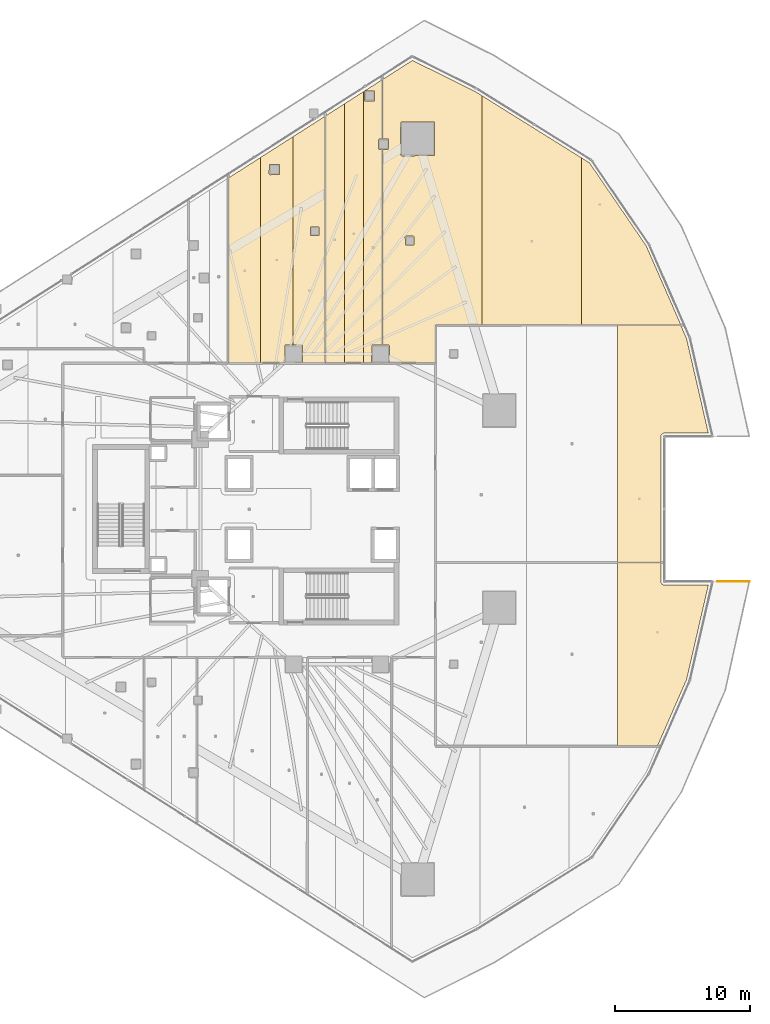
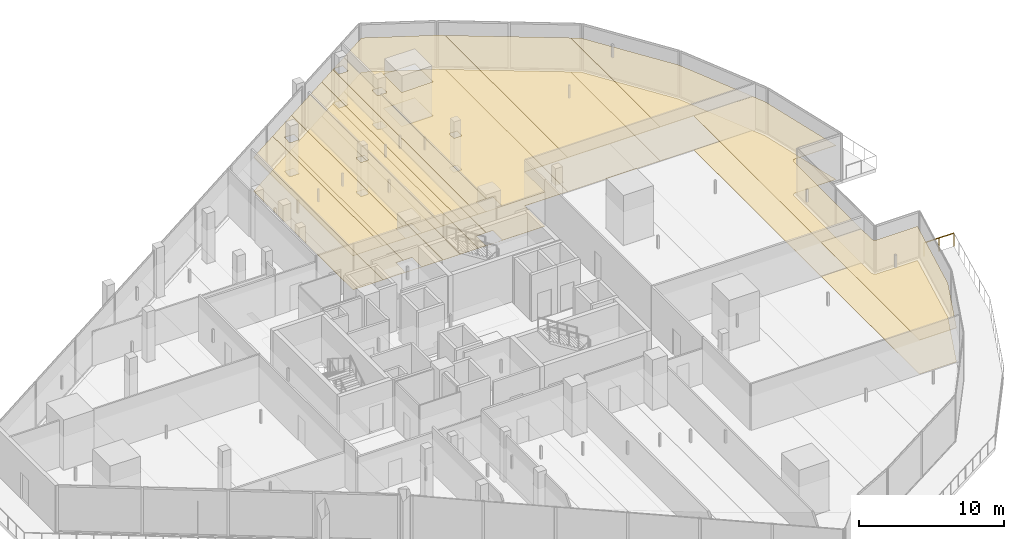
# One storey, part 44 of 44: 22 coverings, 1 railing.
"""IFC4 building model written with IfcOpenShell, lengths in metres."""

from ifc_helpers import new_model, si_unit, direction, frame, origin, origin_2d, place, context, subcontext, project, spatial, polyline, circle, outline, extrude, material, layer, layer_set, type_object, element, save


model = new_model("IFC4")

# Units and contexts
model_context = context("Model", 3, precision=1e-05, world=origin(), true_north=direction((0.0, 1.0)))
body_context = subcontext(model_context, "Body", "Model", "MODEL_VIEW")
ifc_project = project(units=[si_unit("LENGTHUNIT", "METRE"), si_unit("AREAUNIT", "SQUARE_METRE"), si_unit("VOLUMEUNIT", "CUBIC_METRE"), si_unit("PLANEANGLEUNIT", "RADIAN"), si_unit("MASSUNIT", "GRAM", prefix="KILO")], contexts=[model_context])

# Site, building, storey
site_placement = place(None, origin())
site = spatial("IfcSite", under=ifc_project, at=site_placement, CompositionType="ELEMENT")
building_placement = place(site_placement, origin())
building = spatial("IfcBuilding", under=site, at=building_placement, Name="Qorvath Tower", CompositionType="ELEMENT")
storey_placement = place(building_placement, frame((0.0, 0.0, 53.39990234375)))
storey = spatial("IfcBuildingStorey", under=building, at=storey_placement, Name="L11", CompositionType="ELEMENT", Elevation=53.39990234375)

# Coverings
ifc_material_1 = material(Name="Acoustic mineral fibre ceiling tile", Category="gypsum")
ifc_layer_1 = layer(ifc_material_1, 0.030029296875)
ifc_layer_set_1 = layer_set([ifc_layer_1], Name="COV-CEIL")
covering_type_1 = type_object("IfcCoveringType", Name="COV-CEIL", PredefinedType="CEILING", material=ifc_layer_set_1)
covering_1_placement = place(storey_placement, frame((0.0, 0.0, 2.85009765625)))
element("IfcCovering", 1, at=covering_1_placement, inside=storey, type_object=covering_type_1, Name="L11 Suspended Acoustic Ceiling 015", PredefinedType="CEILING", context=body_context, shape_type="SweptSolid", body=[
    extrude(outline(polyline([(-26.043701171875, 10.762939453125), (-26.043701171875, 25.960205078125), (-28.42431640625, 24.4384765625), (-28.42431640625, 10.762939453125), (-26.043701171875, 10.762939453125)])), origin(), (0.0, 0.0, 1.0), 0.030029296875),
])
covering_2_placement = place(storey_placement, frame((0.0, 0.0, 2.85009765625)))
element("IfcCovering", 2, at=covering_2_placement, inside=storey, type_object=covering_type_1, Name="L11 Suspended Acoustic Ceiling 016", PredefinedType="CEILING", context=body_context, shape_type="SweptSolid", body=[
    extrude(outline(polyline([(-23.662841796875, 10.762939453125), (-23.662841796875, 10.797607421875), (-24.199951171875, 10.7900390625), (-24.260009765625, 10.85009765625), (-24.242431640625, 12.092529296875), (-23.662841796875, 12.092529296875), (-23.662841796875, 27.48193359375), (-26.043701171875, 25.960205078125), (-26.043701171875, 10.762939453125), (-23.662841796875, 10.762939453125)]), holes=[polyline([(-25.422607421875, 24.73388671875), (-25.405029296875, 25.42626953125), (-24.670166015625, 25.42626953125), (-24.670166015625, 24.69140625), (-25.362548828125, 24.673828125), (-25.422607421875, 24.73388671875)])]), origin(), (0.0, 0.0, 1.0), 0.030029296875),
])
covering_3_placement = place(storey_placement, frame((0.0, 0.0, 2.85009765625)))
element("IfcCovering", 3, at=covering_3_placement, inside=storey, type_object=covering_type_1, Name="L11 Suspended Acoustic Ceiling 017", PredefinedType="CEILING", context=body_context, shape_type="SweptSolid", body=[
    extrude(outline(polyline([(-21.281982421875, 10.762939453125), (-21.285400390625, 29.00146484375), (-23.662841796875, 27.48193359375), (-23.662841796875, 12.092529296875), (-22.95751953125, 12.092529296875), (-22.95751953125, 10.8076171875), (-23.662841796875, 10.797607421875), (-23.662841796875, 10.762939453125), (-21.281982421875, 10.762939453125)]), holes=[polyline([(-22.38818359375, 20.77001953125), (-22.328125, 20.829833984375), (-21.73583984375, 20.812255859375), (-21.73583984375, 20.177490234375), (-22.37060546875, 20.177490234375), (-22.38818359375, 20.77001953125)])]), origin(), (0.0, 0.0, 1.0), 0.030029296875),
])
covering_4_placement = place(storey_placement, frame((0.0, 0.0, 2.85009765625)))
element("IfcCovering", 4, at=covering_4_placement, inside=storey, type_object=covering_type_1, Name="L11 Suspended Acoustic Ceiling 018", PredefinedType="CEILING", context=body_context, shape_type="SweptSolid", body=[
    extrude(outline(polyline([(-19.86962890625, 10.762939453125), (-19.86962890625, 29.906005859375), (-21.267333984375, 29.0126953125), (-21.26416015625, 10.762939453125), (-19.86962890625, 10.762939453125)])), origin(), (0.0, 0.0, 1.0), 0.030029296875),
])
covering_5_placement = place(storey_placement, frame((0.0, 0.0, 2.85009765625)))
element("IfcCovering", 5, at=covering_5_placement, inside=storey, type_object=covering_type_1, Name="L11 Suspended Acoustic Ceiling 019", PredefinedType="CEILING", context=body_context, shape_type="SweptSolid", body=[
    extrude(outline(polyline([(-18.4716796875, 10.762939453125), (-18.4716796875, 30.799560546875), (-19.86962890625, 29.906005859375), (-19.86962890625, 10.762939453125), (-18.4716796875, 10.762939453125)])), origin(), (0.0, 0.0, 1.0), 0.030029296875),
])
covering_6_placement = place(storey_placement, frame((0.0, 0.0, 2.85009765625)))
element("IfcCovering", 6, at=covering_6_placement, inside=storey, type_object=covering_type_1, Name="L11 Suspended Acoustic Ceiling 020", PredefinedType="CEILING", context=body_context, shape_type="SweptSolid", body=[
    extrude(outline(polyline([(-17.30615234375, 27.314208984375), (-17.073974609375, 27.314208984375), (-17.073974609375, 31.69287109375), (-18.361572265625, 30.869873046875), (-17.632568359375, 30.867431640625), (-17.632568359375, 30.132568359375), (-18.367431640625, 30.132568359375), (-18.3681640625, 30.86572265625), (-18.4716796875, 30.799560546875), (-18.4716796875, 10.762939453125), (-17.073974609375, 10.762939453125), (-17.800048828125, 10.7900390625), (-17.860107421875, 10.85009765625), (-17.842529296875, 12.092529296875), (-17.073974609375, 12.110107421875), (-17.073974609375, 26.544189453125), (-17.30615234375, 26.544189453125), (-17.3662109375, 26.604248046875), (-17.3662109375, 27.254150390625), (-17.30615234375, 27.314208984375)])), origin(), (0.0, 0.0, 1.0), 0.030029296875),
])
covering_7_placement = place(storey_placement, frame((0.0, 0.0, 2.85009765625)))
element("IfcCovering", 7, at=covering_7_placement, inside=storey, type_object=covering_type_1, Name="L11 Suspended Acoustic Ceiling 021", PredefinedType="CEILING", context=body_context, shape_type="SweptSolid", body=[
    extrude(outline(polyline([(-16.65625, 26.544189453125), (-17.055908203125, 26.544189453125), (-17.055908203125, 12.110107421875), (-16.60009765625, 12.110107421875), (-16.5400390625, 12.050048828125), (-16.5400390625, 10.85009765625), (-16.60009765625, 10.7900390625), (-17.055908203125, 10.762939453125), (-13.155029296875, 10.762939453125), (-13.14990234375, 13.57177734375), (-9.715576171875, 13.575927734375), (-9.715576171875, 30.509765625), (-10.205810546875, 30.81591796875), (-14.8486328125, 33.114990234375), (-17.055908203125, 31.704345703125), (-17.055908203125, 27.314208984375), (-16.61376953125, 27.296630859375), (-16.59619140625, 26.604248046875), (-16.65625, 26.544189453125)]), holes=[polyline([(-15.724365234375, 26.130615234375), (-15.706787109375, 28.5732421875), (-13.221923828125, 28.5732421875), (-13.221923828125, 26.08837890625), (-15.664306640625, 26.07080078125), (-15.724365234375, 26.130615234375)]), polyline([(-15.381103515625, 20.093017578125), (-15.321044921875, 20.153076171875), (-14.728759765625, 20.135498046875), (-14.728759765625, 19.500732421875), (-15.363525390625, 19.500732421875), (-15.381103515625, 20.093017578125)])]), origin(), (0.0, 0.0, 1.0), 0.030029296875),
])
covering_8_placement = place(storey_placement, frame((0.0, 0.0, 2.85009765625)))
element("IfcCovering", 8, at=covering_8_placement, inside=storey, type_object=covering_type_1, Name="L11 Suspended Acoustic Ceiling 022", PredefinedType="CEILING", context=body_context, shape_type="SweptSolid", body=[
    extrude(outline(polyline([(-9.715576171875, 30.509765625), (-9.715576171875, 13.575927734375), (-2.375244140625, 13.5849609375), (-2.375244140625, 25.924560546875), (-9.715576171875, 30.509765625)])), origin(), (0.0, 0.0, 1.0), 0.030029296875),
])
covering_9_placement = place(storey_placement, frame((0.0, 0.0, 2.85009765625)))
element("IfcCovering", 9, at=covering_9_placement, inside=storey, type_object=covering_type_1, Name="L11 Suspended Acoustic Ceiling 023", PredefinedType="CEILING", context=body_context, shape_type="SweptSolid", body=[
    extrude(outline(polyline([(-2.375244140625, 25.924560546875), (-2.375244140625, 13.5849609375), (4.965087890625, 13.593994140625), (2.416748046875, 19.414794921875), (-1.770751953125, 25.547119140625), (-2.375244140625, 25.924560546875)])), origin(), (0.0, 0.0, 1.0), 0.030029296875),
])
covering_10_placement = place(storey_placement, frame((0.0, 0.0, 2.85009765625)))
element("IfcCovering", 10, at=covering_10_placement, inside=storey, type_object=covering_type_1, Name="L11 Suspended Acoustic Ceiling 037", PredefinedType="CEILING", context=body_context, shape_type="SweptSolid", body=[
    extrude(outline(polyline([(3.580078125, -5.552734375), (3.492919921875, -5.405517578125), (3.488037109375, -3.9462890625), (0.283447265625, -3.9462890625), (0.283447265625, -17.496337890625), (3.235107421875, -17.49658203125), (5.3876953125, -12.581787109375), (6.99365234375, -5.61181640625), (3.718505859375, -5.610595703125), (3.580078125, -5.552734375)])), origin(), (0.0, 0.0, 1.0), 0.030029296875),
])
covering_11_placement = place(storey_placement, frame((0.0, 0.0, 2.85009765625)))
element("IfcCovering", 11, at=covering_11_placement, inside=storey, type_object=covering_type_1, Name="L11 Suspended Acoustic Ceiling 040", PredefinedType="CEILING", context=body_context, shape_type="SweptSolid", body=[
    extrude(outline(polyline([(3.741455078125, 5.611572265625), (6.99365234375, 5.61181640625), (5.3876953125, 12.581787109375), (4.9521484375, 13.576171875), (0.283447265625, 13.5703125), (0.283447265625, -3.92822265625), (3.488037109375, -3.92822265625), (3.507080078125, 5.452392578125), (3.600341796875, 5.56787109375), (3.741455078125, 5.611572265625)])), origin(), (0.0, 0.0, 1.0), 0.030029296875),
])
ifc_material_2 = material(Name="Low-VOC modular carpet tile", Category="textile")
ifc_layer_2 = layer(ifc_material_2, 0.014892578125)
ifc_layer_set_2 = layer_set([ifc_layer_2], Name="COV-FLOOR-CPT")
covering_type_2 = type_object("IfcCoveringType", Name="COV-FLOOR-CPT", PredefinedType="FLOORING", material=ifc_layer_set_2)
covering_12_placement = place(storey_placement, origin())
element("IfcCovering", 12, at=covering_12_placement, inside=storey, type_object=covering_type_2, Name="L11 Floor Finish 015", PredefinedType="FLOORING", context=body_context, shape_type="SweptSolid", body=[
    extrude(outline(polyline([(-26.043701171875, 10.762939453125), (-26.043701171875, 25.960205078125), (-28.42431640625, 24.4384765625), (-28.42431640625, 10.762939453125), (-26.043701171875, 10.762939453125)])), origin(), (0.0, 0.0, 1.0), 0.01513671875),
])
covering_13_placement = place(storey_placement, origin())
element("IfcCovering", 13, at=covering_13_placement, inside=storey, type_object=covering_type_2, Name="L11 Floor Finish 016", PredefinedType="FLOORING", context=body_context, shape_type="SweptSolid", body=[
    extrude(outline(polyline([(-23.662841796875, 10.762939453125), (-23.662841796875, 10.797607421875), (-24.199951171875, 10.7900390625), (-24.260009765625, 10.85009765625), (-24.242431640625, 12.092529296875), (-23.662841796875, 12.092529296875), (-23.662841796875, 27.48193359375), (-26.043701171875, 25.960205078125), (-26.043701171875, 10.762939453125), (-23.662841796875, 10.762939453125)]), holes=[polyline([(-25.422607421875, 24.73388671875), (-25.405029296875, 25.42626953125), (-24.670166015625, 25.42626953125), (-24.670166015625, 24.69140625), (-25.362548828125, 24.673828125), (-25.422607421875, 24.73388671875)])]), origin(), (0.0, 0.0, 1.0), 0.01513671875),
])
covering_14_placement = place(storey_placement, origin())
element("IfcCovering", 14, at=covering_14_placement, inside=storey, type_object=covering_type_2, Name="L11 Floor Finish 017", PredefinedType="FLOORING", context=body_context, shape_type="SweptSolid", body=[
    extrude(outline(polyline([(-21.281982421875, 10.762939453125), (-21.285400390625, 29.00146484375), (-23.662841796875, 27.48193359375), (-23.662841796875, 12.092529296875), (-22.95751953125, 12.092529296875), (-22.95751953125, 10.8076171875), (-23.662841796875, 10.797607421875), (-23.662841796875, 10.762939453125), (-21.281982421875, 10.762939453125)]), holes=[polyline([(-22.38818359375, 20.77001953125), (-22.328125, 20.829833984375), (-21.73583984375, 20.812255859375), (-21.73583984375, 20.177490234375), (-22.37060546875, 20.177490234375), (-22.38818359375, 20.77001953125)])]), origin(), (0.0, 0.0, 1.0), 0.01513671875),
])
covering_15_placement = place(storey_placement, origin())
element("IfcCovering", 15, at=covering_15_placement, inside=storey, type_object=covering_type_2, Name="L11 Floor Finish 018", PredefinedType="FLOORING", context=body_context, shape_type="SweptSolid", body=[
    extrude(outline(polyline([(-19.86962890625, 10.762939453125), (-19.86962890625, 29.906005859375), (-21.267333984375, 29.0126953125), (-21.26416015625, 10.762939453125), (-19.86962890625, 10.762939453125)])), origin(), (0.0, 0.0, 1.0), 0.01513671875),
])
covering_16_placement = place(storey_placement, origin())
element("IfcCovering", 16, at=covering_16_placement, inside=storey, type_object=covering_type_2, Name="L11 Floor Finish 019", PredefinedType="FLOORING", context=body_context, shape_type="SweptSolid", body=[
    extrude(outline(polyline([(-18.4716796875, 10.762939453125), (-18.4716796875, 30.799560546875), (-19.86962890625, 29.906005859375), (-19.86962890625, 10.762939453125), (-18.4716796875, 10.762939453125)])), origin(), (0.0, 0.0, 1.0), 0.01513671875),
])
covering_17_placement = place(storey_placement, origin())
element("IfcCovering", 17, at=covering_17_placement, inside=storey, type_object=covering_type_2, Name="L11 Floor Finish 020", PredefinedType="FLOORING", context=body_context, shape_type="SweptSolid", body=[
    extrude(outline(polyline([(-17.30615234375, 27.314208984375), (-17.073974609375, 27.314208984375), (-17.073974609375, 31.69287109375), (-18.361572265625, 30.869873046875), (-17.632568359375, 30.867431640625), (-17.632568359375, 30.132568359375), (-18.367431640625, 30.132568359375), (-18.3681640625, 30.86572265625), (-18.4716796875, 30.799560546875), (-18.4716796875, 10.762939453125), (-17.073974609375, 10.762939453125), (-17.800048828125, 10.7900390625), (-17.860107421875, 10.85009765625), (-17.842529296875, 12.092529296875), (-17.073974609375, 12.110107421875), (-17.073974609375, 26.544189453125), (-17.30615234375, 26.544189453125), (-17.3662109375, 26.604248046875), (-17.3662109375, 27.254150390625), (-17.30615234375, 27.314208984375)])), origin(), (0.0, 0.0, 1.0), 0.01513671875),
])
covering_18_placement = place(storey_placement, origin())
element("IfcCovering", 18, at=covering_18_placement, inside=storey, type_object=covering_type_2, Name="L11 Floor Finish 021", PredefinedType="FLOORING", context=body_context, shape_type="SweptSolid", body=[
    extrude(outline(polyline([(-16.65625, 26.544189453125), (-17.055908203125, 26.544189453125), (-17.055908203125, 12.110107421875), (-16.60009765625, 12.110107421875), (-16.5400390625, 12.050048828125), (-16.5400390625, 10.85009765625), (-16.60009765625, 10.7900390625), (-17.055908203125, 10.762939453125), (-13.155029296875, 10.762939453125), (-13.14990234375, 13.57177734375), (-9.715576171875, 13.575927734375), (-9.715576171875, 30.509765625), (-10.205810546875, 30.81591796875), (-14.8486328125, 33.114990234375), (-17.055908203125, 31.704345703125), (-17.055908203125, 27.314208984375), (-16.61376953125, 27.296630859375), (-16.59619140625, 26.604248046875), (-16.65625, 26.544189453125)]), holes=[polyline([(-15.724365234375, 26.130615234375), (-15.706787109375, 28.5732421875), (-13.221923828125, 28.5732421875), (-13.221923828125, 26.08837890625), (-15.664306640625, 26.07080078125), (-15.724365234375, 26.130615234375)]), polyline([(-15.381103515625, 20.093017578125), (-15.321044921875, 20.153076171875), (-14.728759765625, 20.135498046875), (-14.728759765625, 19.500732421875), (-15.363525390625, 19.500732421875), (-15.381103515625, 20.093017578125)])]), origin(), (0.0, 0.0, 1.0), 0.01513671875),
])
covering_19_placement = place(storey_placement, origin())
element("IfcCovering", 19, at=covering_19_placement, inside=storey, type_object=covering_type_2, Name="L11 Floor Finish 022", PredefinedType="FLOORING", context=body_context, shape_type="SweptSolid", body=[
    extrude(outline(polyline([(-9.715576171875, 30.509765625), (-9.715576171875, 13.575927734375), (-2.375244140625, 13.5849609375), (-2.375244140625, 25.924560546875), (-9.715576171875, 30.509765625)])), origin(), (0.0, 0.0, 1.0), 0.01513671875),
])
covering_20_placement = place(storey_placement, origin())
element("IfcCovering", 20, at=covering_20_placement, inside=storey, type_object=covering_type_2, Name="L11 Floor Finish 023", PredefinedType="FLOORING", context=body_context, shape_type="SweptSolid", body=[
    extrude(outline(polyline([(-2.375244140625, 25.924560546875), (-2.375244140625, 13.5849609375), (4.965087890625, 13.593994140625), (2.416748046875, 19.414794921875), (-1.770751953125, 25.547119140625), (-2.375244140625, 25.924560546875)])), origin(), (0.0, 0.0, 1.0), 0.01513671875),
])
covering_21_placement = place(storey_placement, origin())
element("IfcCovering", 21, at=covering_21_placement, inside=storey, type_object=covering_type_2, Name="L11 Floor Finish 037", PredefinedType="FLOORING", context=body_context, shape_type="SweptSolid", body=[
    extrude(outline(polyline([(3.580078125, -5.552734375), (3.492919921875, -5.405517578125), (3.488037109375, -3.9462890625), (0.283447265625, -3.9462890625), (0.283447265625, -17.496337890625), (3.235107421875, -17.49658203125), (5.3876953125, -12.581787109375), (6.99365234375, -5.61181640625), (3.718505859375, -5.610595703125), (3.580078125, -5.552734375)])), origin(), (0.0, 0.0, 1.0), 0.01513671875),
])
covering_22_placement = place(storey_placement, origin())
element("IfcCovering", 22, at=covering_22_placement, inside=storey, type_object=covering_type_2, Name="L11 Floor Finish 040", PredefinedType="FLOORING", context=body_context, shape_type="SweptSolid", body=[
    extrude(outline(polyline([(3.741455078125, 5.611572265625), (6.99365234375, 5.61181640625), (5.3876953125, 12.581787109375), (4.9521484375, 13.576171875), (0.283447265625, 13.5703125), (0.283447265625, -3.92822265625), (3.488037109375, -3.92822265625), (3.507080078125, 5.452392578125), (3.600341796875, 5.56787109375), (3.741455078125, 5.611572265625)])), origin(), (0.0, 0.0, 1.0), 0.01513671875),
])

# Railing
ifc_material_3 = material(Name="Laminated safety glass and stainless steel AISI 316", Category="steel")
railing_type = type_object("IfcRailingType", Name="RL-EXT-GRD", PredefinedType="GUARDRAIL", material=ifc_material_3)
railing_placement = place(storey_placement, frame((7.663818359375, -5.356689453125, 0.0)))
element("IfcRailing", 23, at=railing_placement, inside=storey, type_object=railing_type, Name="Loggia Perimeter Guardrail L11-1.2", PredefinedType="GUARDRAIL", context=body_context, shape_type="SweptSolid", body=[
    extrude(circle(Radius=0.02392578125, at=origin_2d()), frame((0.0, 0.0, 1.09619140625), z_axis=(1.0, 0.0, 0.0), x_axis=(0.0, 1.0, 0.0)), (0.0, 0.0, 1.0), 2.3662109375),
    extrude(circle(Radius=0.02099609375, at=origin_2d()), origin(), (0.0, 0.0, 1.0), 1.072021484375),
    extrude(circle(Radius=0.02099609375, at=origin_2d()), frame((1.18310546875, 0.0, 0.0)), (0.0, 0.0, 1.0), 1.072021484375),
    extrude(circle(Radius=0.02099609375, at=origin_2d()), frame((2.3662109375, 0.0, 0.0)), (0.0, 0.0, 1.0), 1.072021484375),
])

save(model, "model.ifc")
